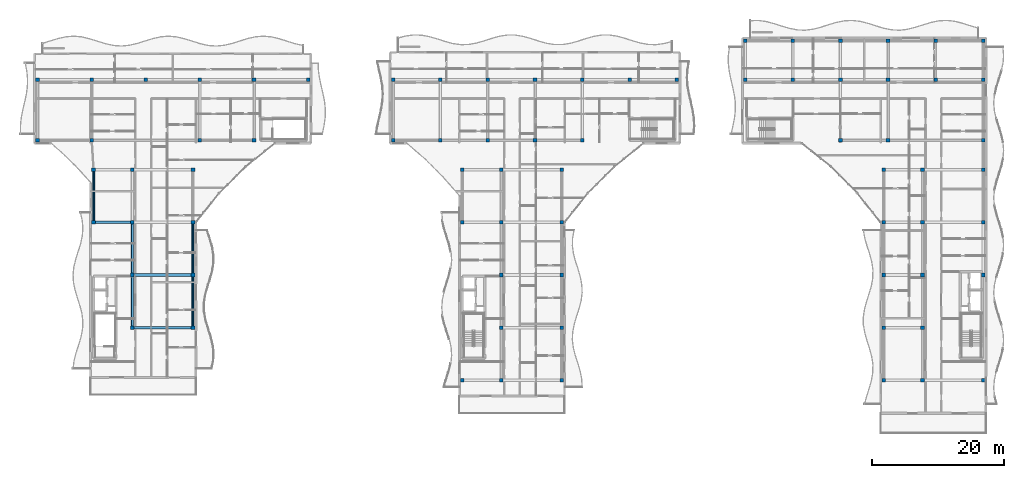
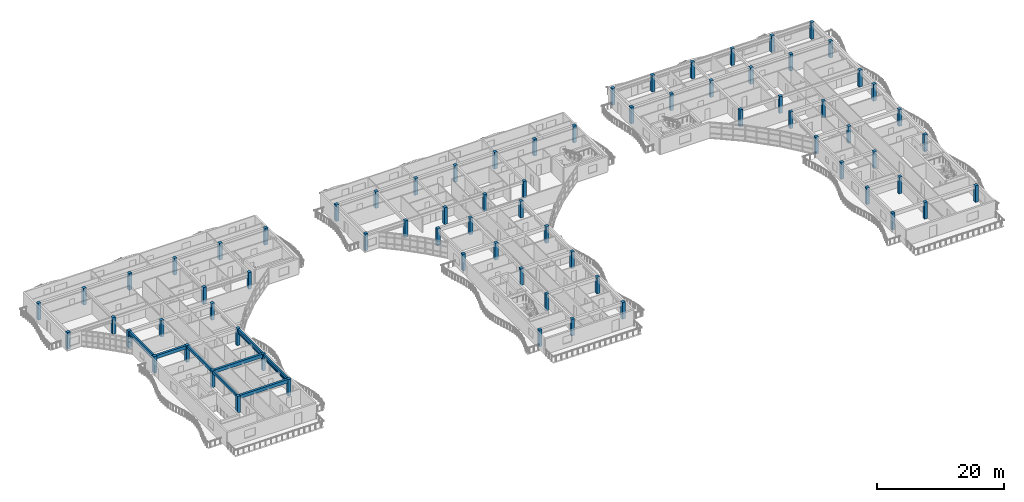
# One storey, part 1 of 49: 74 columns, 8 beams, 6 members.
"""IFC4 building model written with IfcOpenShell, lengths in metres."""

from ifc_helpers import new_model, si_unit, direction, frame, origin, origin_2d, place, context, subcontext, project, spatial, rectangle, hollow_rectangle, extrude, material, material_profile, profile_set, type_object, element, save


model = new_model("IFC4")

# Units and contexts
model_context = context("Model", 3, precision=1e-05, world=origin(), true_north=direction((0.0, 1.0)))
body_context = subcontext(model_context, "Body", "Model", "MODEL_VIEW")
ifc_project = project(units=[si_unit("LENGTHUNIT", "METRE"), si_unit("AREAUNIT", "SQUARE_METRE"), si_unit("VOLUMEUNIT", "CUBIC_METRE"), si_unit("PLANEANGLEUNIT", "RADIAN"), si_unit("MASSUNIT", "GRAM", prefix="KILO")], contexts=[model_context])

# Site, building, storey
site_placement = place(None, origin())
site = spatial("IfcSite", under=ifc_project, at=site_placement, CompositionType="ELEMENT")
building_placement = place(site_placement, origin())
building = spatial("IfcBuilding", under=site, at=building_placement, Name="Keldmere Railside Commons", CompositionType="ELEMENT")
storey_placement = place(building_placement, frame((0.0, 0.0, 29.760009765625)))
storey = spatial("IfcBuildingStorey", under=building, at=storey_placement, Name="L09", CompositionType="ELEMENT", Elevation=29.760009765625)

# Columns
ifc_material_1 = material(Name="Concrete H-35 (C35/45)", Category="concrete")
ifc_material_profile_1 = material_profile(ifc_material_1, rectangle(XDim=0.550048828125, YDim=0.550048828125, at=origin_2d()), Name="RC-550x550")
ifc_profile_set_1 = profile_set([ifc_material_profile_1], Name="Concrete H-35 (C35/45)")
column_type = type_object("IfcColumnType", Name="Upper-Mid RC Column 550x550", PredefinedType="COLUMN", material=ifc_profile_set_1)
for number, where, z_axis, x_axis, name in (
    (1, (39.949951171875, 100.449951171875, 0.0), (0.0, 0.0, 1.0), (1.0, 0.0, 0.0), "C-550 COL-L09-0345"),
    (2, (39.949951171875, 109.64990234375, 0.0), (0.0, 0.0, 1.0), (1.0, 0.0, 0.0), "C-550 COL-L09-0357"),
    (3, (48.169921875, 100.449951171875, 0.0), (0.0, 0.0, 1.0), (1.0, 0.0, 0.0), "C-550 COL-L09-0395"),
    (4, (48.169921875, 109.64990234375, 0.0), (0.0, 0.0, 1.0), (1.0, 0.0, 0.0), "C-550 COL-L09-0407"),
    (5, (48.449951171875, 88.0, 0.0), (0.0, 0.0, 1.0), (1.0, 0.0, 0.0), "C-550 COL-L09-0458"),
    (6, (48.449951171875, 96.0, 0.0), (0.0, 0.0, 1.0), (1.0, 0.0, 0.0), "C-550 COL-L09-0469"),
    (7, (54.35009765625, 72.0, 0.0), (0.0, 0.0, 1.0), (1.0, 0.0, 0.0), "C-550 COL-L09-0504"),
    (8, (54.35009765625, 80.0, 0.0), (0.0, 0.0, 1.0), (1.0, 0.0, 0.0), "C-550 COL-L09-0515"),
    (9, (54.35009765625, 88.0, 0.0), (0.0, 0.0, 1.0), (1.0, 0.0, 0.0), "C-550 COL-L09-0526"),
    (10, (54.35009765625, 96.0, 0.0), (0.0, 0.0, 1.0), (1.0, 0.0, 0.0), "C-550 COL-L09-0537"),
    (11, (56.389892578125, 109.64990234375, 0.0), (0.0, 0.0, 1.0), (1.0, 0.0, 0.0), "C-550 COL-L09-0549"),
    (12, (63.550048828125, 72.0, 0.0), (0.0, 0.0, 1.0), (1.0, 0.0, 0.0), "C-550 COL-L09-0590"),
    (13, (63.550048828125, 80.0, 0.0), (0.0, 0.0, 1.0), (1.0, 0.0, 0.0), "C-550 COL-L09-0601"),
    (14, (63.550048828125, 88.0, 0.0), (0.0, 0.0, 1.0), (1.0, 0.0, 0.0), "C-550 COL-L09-0612"),
    (15, (63.550048828125, 96.0, 0.0), (0.0, 0.0, 1.0), (1.0, 0.0, 0.0), "C-550 COL-L09-0623"),
    (16, (64.610107421875, 100.449951171875, 0.0), (0.0, 0.0, 1.0), (1.0, 0.0, 0.0), "C-550 COL-L09-0649"),
    (17, (64.610107421875, 109.64990234375, 0.0), (0.0, 0.0, 1.0), (1.0, 0.0, 0.0), "C-550 COL-L09-0661"),
    (18, (72.830078125, 100.449951171875, 0.0), (0.0, 0.0, 1.0), (1.0, 0.0, 0.0), "C-550 COL-L09-0694"),
    (19, (72.830078125, 109.64990234375, 0.0), (0.0, 0.0, 1.0), (1.0, 0.0, 0.0), "C-550 COL-L09-0706"),
    (20, (81.050048828125, 109.64990234375, 0.0), (0.0, 0.0, 1.0), (1.0, 0.0, 0.0), "C-550 COL-L09-0759"),
    (21, (93.949951171875, 100.449951171875, 0.0), (0.0, 0.0, 1.0), (1.0, 0.0, 0.0), "C-550 COL-L09-0819"),
    (22, (93.949951171875, 109.64990234375, 0.0), (0.0, 0.0, 1.0), (1.0, 0.0, 0.0), "C-550 COL-L09-0833"),
    (23, (101.133056640625, 100.449951171875, 0.0), (0.0, 0.0, 1.0), (1.0, 0.0, 0.0), "C-550 COL-L09-0888"),
    (24, (101.133056640625, 109.64990234375, 0.0), (0.0, 0.0, 1.0), (1.0, 0.0, 0.0), "C-550 COL-L09-0902"),
    (25, (104.449951171875, 64.0, 0.0), (0.0, 0.0, 1.0), (1.0, 0.0, 0.0), "C-550 COL-L09-0939"),
    (26, (104.449951171875, 88.0, 0.0), (0.0, 0.0, 1.0), (1.0, 0.0, 0.0), "C-550 COL-L09-0951"),
    (27, (104.449951171875, 96.0, 0.0), (0.0, 0.0, 1.0), (1.0, 0.0, 0.0), "C-550 COL-L09-0964"),
    (28, (108.31689453125, 100.449951171875, 0.0), (0.0, 0.0, 1.0), (1.0, 0.0, 0.0), "C-550 COL-L09-0988"),
    (29, (108.31689453125, 109.64990234375, 0.0), (0.0, 0.0, 1.0), (1.0, 0.0, 0.0), "C-550 COL-L09-1002"),
    (30, (110.35009765625, 64.0, 0.0), (0.0, 0.0, 1.0), (1.0, 0.0, 0.0), "C-550 COL-L09-1033"),
    (31, (110.35009765625, 72.0, 0.0), (0.0, 0.0, 1.0), (1.0, 0.0, 0.0), "C-550 COL-L09-1045"),
    (32, (110.35009765625, 80.0, 0.0), (0.0, 0.0, 1.0), (1.0, 0.0, 0.0), "C-550 COL-L09-1058"),
    (33, (110.35009765625, 88.0, 0.0), (0.0, 0.0, 1.0), (1.0, 0.0, 0.0), "C-550 COL-L09-1071"),
    (34, (110.35009765625, 96.0, 0.0), (0.0, 0.0, 1.0), (1.0, 0.0, 0.0), "C-550 COL-L09-1084"),
    (35, (115.5, 100.449951171875, 0.0), (0.0, 0.0, 1.0), (1.0, 0.0, 0.0), "C-550 COL-L09-1105"),
    (36, (115.5, 109.64990234375, 0.0), (0.0, 0.0, 1.0), (1.0, 0.0, 0.0), "C-550 COL-L09-1119"),
    (37, (119.550048828125, 64.0, 0.0), (0.0, 0.0, 1.0), (1.0, 0.0, 0.0), "C-550 COL-L09-1150"),
    (38, (119.550048828125, 72.0, 0.0), (0.0, 0.0, 1.0), (1.0, 0.0, 0.0), "C-550 COL-L09-1162"),
    (39, (119.550048828125, 80.0, 0.0), (0.0, 0.0, 1.0), (1.0, 0.0, 0.0), "C-550 COL-L09-1175"),
    (40, (119.550048828125, 88.0, 0.0), (0.0, 0.0, 1.0), (1.0, 0.0, 0.0), "C-550 COL-L09-1188"),
    (41, (119.550048828125, 96.0, 0.0), (0.0, 0.0, 1.0), (1.0, 0.0, 0.0), "C-550 COL-L09-1201"),
    (42, (122.68310546875, 100.449951171875, 0.0), (0.0, 0.0, 1.0), (1.0, 0.0, 0.0), "C-550 COL-L09-1243"),
    (43, (122.68310546875, 109.64990234375, 0.0), (0.0, 0.0, 1.0), (1.0, 0.0, 0.0), "C-550 COL-L09-1257"),
    (44, (129.866943359375, 109.64990234375, 0.0), (0.0, 0.0, 1.0), (1.0, 0.0, 0.0), "C-550 COL-L09-1302"),
    (45, (137.050048828125, 109.64990234375, 0.0), (0.0, 0.0, 1.0), (1.0, 0.0, 0.0), "C-550 COL-L09-1352"),
    (46, (147.449951171875, 109.64990234375, 0.0), (0.0, 0.0, 1.0), (1.0, 0.0, 0.0), "C-550 COL-L09-1382"),
    (47, (147.449951171875, 115.550048828125, 0.0), (0.0, 0.0, 1.0), (1.0, 0.0, 0.0), "C-550 COL-L09-1397"),
    (48, (154.669921875, 109.64990234375, 0.0), (0.0, 0.0, 1.0), (1.0, 0.0, 0.0), "C-550 COL-L09-1434"),
    (49, (154.669921875, 115.550048828125, 0.0), (0.0, 0.0, 1.0), (1.0, 0.0, 0.0), "C-550 COL-L09-1449"),
    (50, (161.889892578125, 100.449951171875, 0.0), (0.0, 0.0, 1.0), (1.0, 0.0, 0.0), "C-550 COL-L09-1487"),
    (51, (161.889892578125, 109.64990234375, 0.0), (0.0, 0.0, 1.0), (1.0, 0.0, 0.0), "C-550 COL-L09-1503"),
    (52, (161.889892578125, 115.550048828125, 0.0), (0.0, 0.0, 1.0), (1.0, 0.0, 0.0), "C-550 COL-L09-1518"),
    (53, (168.449951171875, 64.0, 0.0), (0.0, 0.0, 1.0), (1.0, 0.0, 0.0), "C-550 COL-L09-1563"),
    (54, (168.449951171875, 72.0, 0.0), (0.0, 0.0, 1.0), (1.0, 0.0, 0.0), "C-550 COL-L09-1577"),
    (55, (168.449951171875, 80.0, 0.0), (0.0, 0.0, 1.0), (1.0, 0.0, 0.0), "C-550 COL-L09-1592"),
    (56, (168.449951171875, 88.0, 0.0), (0.0, 0.0, 1.0), (1.0, 0.0, 0.0), "C-550 COL-L09-1607"),
    (57, (168.449951171875, 96.0, 0.0), (0.0, 0.0, 1.0), (1.0, 0.0, 0.0), "C-550 COL-L09-1622"),
    (58, (169.110107421875, 100.449951171875, 0.0), (0.0, 0.0, 1.0), (1.0, 0.0, 0.0), "C-550 COL-L09-1637"),
    (59, (169.110107421875, 109.64990234375, 0.0), (0.0, 0.0, 1.0), (1.0, 0.0, 0.0), "C-550 COL-L09-1653"),
    (60, (169.110107421875, 115.550048828125, 0.0), (0.0, 0.0, 1.0), (1.0, 0.0, 0.0), "C-550 COL-L09-1668"),
    (61, (174.35009765625, 64.0, 0.0), (0.0, 0.0, 1.0), (1.0, 0.0, 0.0), "C-550 COL-L09-1689"),
    (62, (174.35009765625, 72.0, 0.0), (0.0, 0.0, 1.0), (1.0, 0.0, 0.0), "C-550 COL-L09-1703"),
    (63, (174.35009765625, 80.0, 0.0), (0.0, 0.0, 1.0), (1.0, 0.0, 0.0), "C-550 COL-L09-1718"),
    (64, (174.35009765625, 88.0, 0.0), (0.0, 0.0, 1.0), (1.0, 0.0, 0.0), "C-550 COL-L09-1733"),
    (65, (174.35009765625, 96.0, 0.0), (0.0, 0.0, 1.0), (1.0, 0.0, 0.0), "C-550 COL-L09-1748"),
    (66, (176.330078125, 109.64990234375, 0.0), (0.0, 0.0, 1.0), (1.0, 0.0, 0.0), "C-550 COL-L09-1781"),
    (67, (176.330078125, 115.550048828125, 0.0), (0.0, 0.0, 1.0), (1.0, 0.0, 0.0), "C-550 COL-L09-1796"),
    (68, (183.550048828125, 64.0, 0.0), (0.0, 0.0, 1.0), (1.0, 0.0, 0.0), "C-550 COL-L09-1821"),
    (69, (183.550048828125, 80.0, 0.0), (0.0, 0.0, 1.0), (1.0, 0.0, 0.0), "C-550 COL-L09-1835"),
    (70, (183.550048828125, 88.0, 0.0), (0.0, 0.0, 1.0), (1.0, 0.0, 0.0), "C-550 COL-L09-1850"),
    (71, (183.550048828125, 96.0, 0.0), (0.0, 0.0, 1.0), (1.0, 0.0, 0.0), "C-550 COL-L09-1865"),
    (72, (183.550048828125, 100.449951171875, 0.0), (0.0, 0.0, 1.0), (1.0, 0.0, 0.0), "C-550 COL-L09-1880"),
    (73, (183.550048828125, 109.64990234375, 0.0), (0.0, 0.0, 1.0), (1.0, 0.0, 0.0), "C-550 COL-L09-1896"),
    (74, (183.550048828125, 115.550048828125, 0.0), (0.0, 0.0, 1.0), (1.0, 0.0, 0.0), "C-550 COL-L09-1911"),
):
    element("IfcColumn", number, at=place(storey_placement, frame(where, z_axis=z_axis, x_axis=x_axis)), inside=storey, type_object=column_type, Name=name, PredefinedType="COLUMN", context=body_context, shape_type="SweptSolid", body=[
        extrude(rectangle(XDim=0.550048828125, YDim=0.550048828125, at=origin_2d()), origin(), (0.0, 0.0, 1.0), 3.199951171875),
    ])

# Members
ifc_material_2 = material(Name="Steel F-36 (S355)", Category="steel")
ifc_material_profile_2 = material_profile(ifc_material_2, hollow_rectangle(XDim=0.14990234375, YDim=0.25, WallThickness=0.010009765625, at=origin_2d()), Name="RHS-250x150x10")
ifc_profile_set_2 = profile_set([ifc_material_profile_2], Name="Steel F-36 (S355)")
member_type_1 = type_object("IfcMemberType", Name="Balcony Continuous Planted Trough RHS250x150", PredefinedType="CHORD", material=ifc_profile_set_2)
for number, where, z_axis, x_axis, name in (
    (75, (48.449951171875, 88.27490234375, 2.4150390625), (0.0, 1.0, 0.0), (-1.0, 0.0, 0.0), "PLT-1 MEM-BPLT-0933"),
    (76, (63.550048828125, 72.27490234375, 2.4150390625), (0.0, 1.0, 0.0), (-1.0, 0.0, 0.0), "PLT-1 MEM-BPLT-0939"),
    (77, (63.550048828125, 80.27490234375, 2.4150390625), (0.0, 1.0, 0.0), (-1.0, 0.0, 0.0), "PLT-1 MEM-BPLT-0941"),
):
    element("IfcMember", number, at=place(storey_placement, frame(where, z_axis=z_axis, x_axis=x_axis)), inside=storey, type_object=member_type_1, Name=name, PredefinedType="CHORD", context=body_context, shape_type="SweptSolid", body=[
        extrude(hollow_rectangle(XDim=0.14990234375, YDim=0.25, WallThickness=0.010009765625, at=origin_2d()), origin(), (0.0, 0.0, 1.0), 7.4501953125),
    ])

# Beams
ifc_material_3 = material(Name="Concrete H-30 (C30/37)", Category="concrete")
ifc_material_profile_3 = material_profile(ifc_material_3, rectangle(XDim=0.39990234375, YDim=0.64990234375, at=origin_2d()), Name="RC-400x650")
ifc_profile_set_3 = profile_set([ifc_material_profile_3], Name="Concrete H-30 (C30/37)")
beam_type_1 = type_object("IfcBeamType", Name="Residential Spine RC Girder 400x650", PredefinedType="BEAM", material=ifc_profile_set_3)
for number, where, z_axis, x_axis, name in (
    (78, (54.625, 72.0, 2.875), (1.0, 0.0, 0.0), (0.0, 1.0, 0.0), "BG-3 BM-L09-2274"),
    (79, (54.625, 80.0, 2.875), (1.0, 0.0, 0.0), (0.0, 1.0, 0.0), "BG-3 BM-L09-2277"),
):
    element("IfcBeam", number, at=place(storey_placement, frame(where, z_axis=z_axis, x_axis=x_axis)), inside=storey, type_object=beam_type_1, Name=name, PredefinedType="BEAM", context=body_context, shape_type="SweptSolid", body=[
        extrude(rectangle(XDim=0.39990234375, YDim=0.64990234375, at=origin_2d()), origin(), (0.0, 0.0, 1.0), 8.64990234375),
    ])
beam_placement = place(storey_placement, frame((48.72509765625, 88.0, 2.875), z_axis=(1.0, 0.0, 0.0), x_axis=(0.0, 1.0, 0.0)))
element("IfcBeam", 80, at=beam_placement, inside=storey, type_object=beam_type_1, Name="BG-3 BM-L09-2280", PredefinedType="BEAM", context=body_context, shape_type="SweptSolid", body=[
    extrude(rectangle(XDim=0.39990234375, YDim=0.64990234375, at=origin_2d()), origin(), (0.0, 0.0, 1.0), 5.349853515625),
])
ifc_material_profile_4 = material_profile(ifc_material_3, rectangle(XDim=0.300048828125, YDim=0.5, at=origin_2d()), Name="RC-300x500")
ifc_profile_set_4 = profile_set([ifc_material_profile_4], Name="Concrete H-30 (C30/37)")
beam_type_2 = type_object("IfcBeamType", Name="Secondary Frame RC Beam 300x500", PredefinedType="BEAM", material=ifc_profile_set_4)
for number, where, z_axis, x_axis, name in (
    (81, (48.449951171875, 88.27490234375, 2.949951171875), (0.0, 1.0, 0.0), (-1.0, 0.0, 0.0), "BG-5 BM-L09-2324"),
    (82, (54.35009765625, 72.27490234375, 2.949951171875), (0.0, 1.0, 0.0), (-1.0, 0.0, 0.0), "BG-5 BM-L09-2325"),
    (83, (54.35009765625, 80.27490234375, 2.949951171875), (0.0, 1.0, 0.0), (-1.0, 0.0, 0.0), "BG-5 BM-L09-2326"),
    (84, (63.550048828125, 72.27490234375, 2.949951171875), (0.0, 1.0, 0.0), (-1.0, 0.0, 0.0), "BG-5 BM-L09-2328"),
    (85, (63.550048828125, 80.27490234375, 2.949951171875), (0.0, 1.0, 0.0), (-1.0, 0.0, 0.0), "BG-5 BM-L09-2329"),
):
    element("IfcBeam", number, at=place(storey_placement, frame(where, z_axis=z_axis, x_axis=x_axis)), inside=storey, type_object=beam_type_2, Name=name, PredefinedType="BEAM", context=body_context, shape_type="SweptSolid", body=[
        extrude(rectangle(XDim=0.300048828125, YDim=0.5, at=origin_2d()), origin(), (0.0, 0.0, 1.0), 7.4501953125),
    ])

# Members
ifc_material_profile_5 = material_profile(ifc_material_2, hollow_rectangle(XDim=0.10009765625, YDim=0.159912109375, WallThickness=0.008056640625, at=origin_2d()), Name="RHS-160x100x8")
ifc_profile_set_5 = profile_set([ifc_material_profile_5], Name="Steel F-36 (S355)")
member_type_2 = type_object("IfcMemberType", Name="Solar Brise-Soleil Louvre Fin RHS160x100", PredefinedType="STRUT", material=ifc_profile_set_5)
for number, where, z_axis, x_axis, name in (
    (86, (48.449951171875, 88.27490234375, 2.199951171875), (0.0, 1.0, 0.0), (-1.0, 0.0, 0.0), "BSF-1 MEM-BSF-0934"),
    (87, (63.550048828125, 72.27490234375, 2.199951171875), (0.0, 1.0, 0.0), (-1.0, 0.0, 0.0), "BSF-1 MEM-BSF-0940"),
    (88, (63.550048828125, 80.27490234375, 2.199951171875), (0.0, 1.0, 0.0), (-1.0, 0.0, 0.0), "BSF-1 MEM-BSF-0942"),
):
    element("IfcMember", number, at=place(storey_placement, frame(where, z_axis=z_axis, x_axis=x_axis)), inside=storey, type_object=member_type_2, Name=name, PredefinedType="STRUT", context=body_context, shape_type="SweptSolid", body=[
        extrude(hollow_rectangle(XDim=0.10009765625, YDim=0.159912109375, WallThickness=0.008056640625, at=origin_2d()), origin(), (0.0, 0.0, 1.0), 7.4501953125),
    ])

save(model, "model.ifc")
